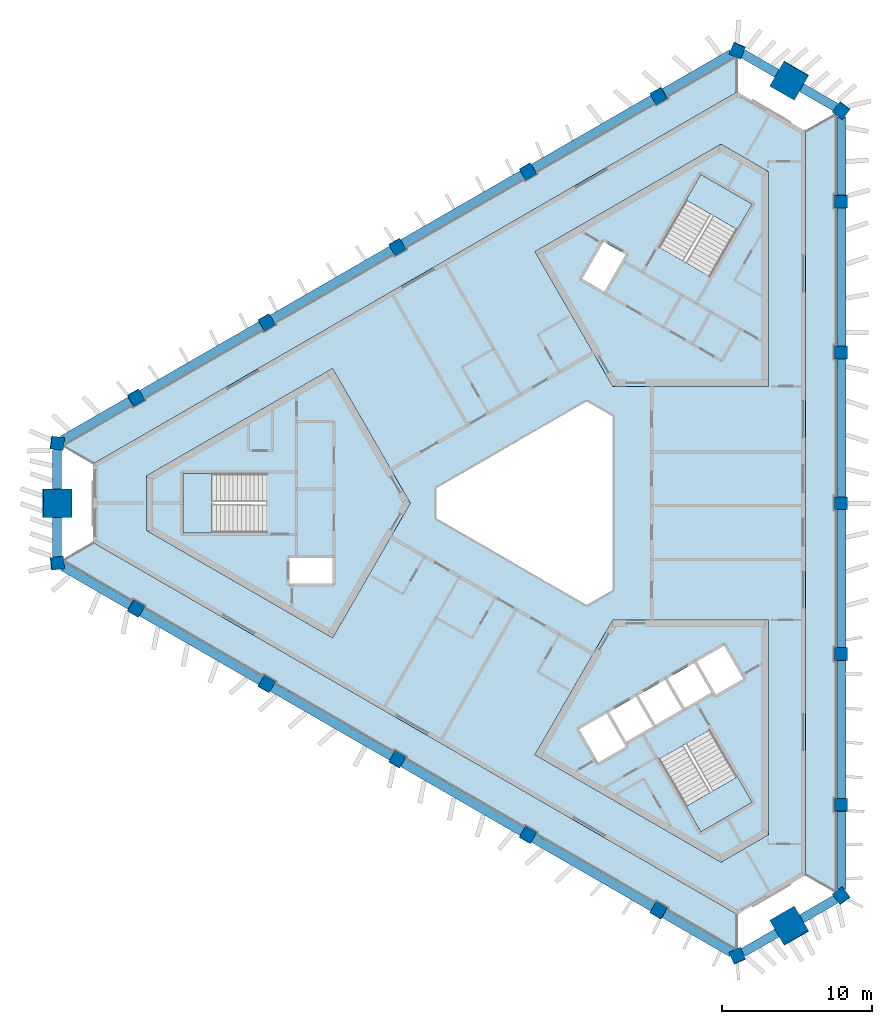
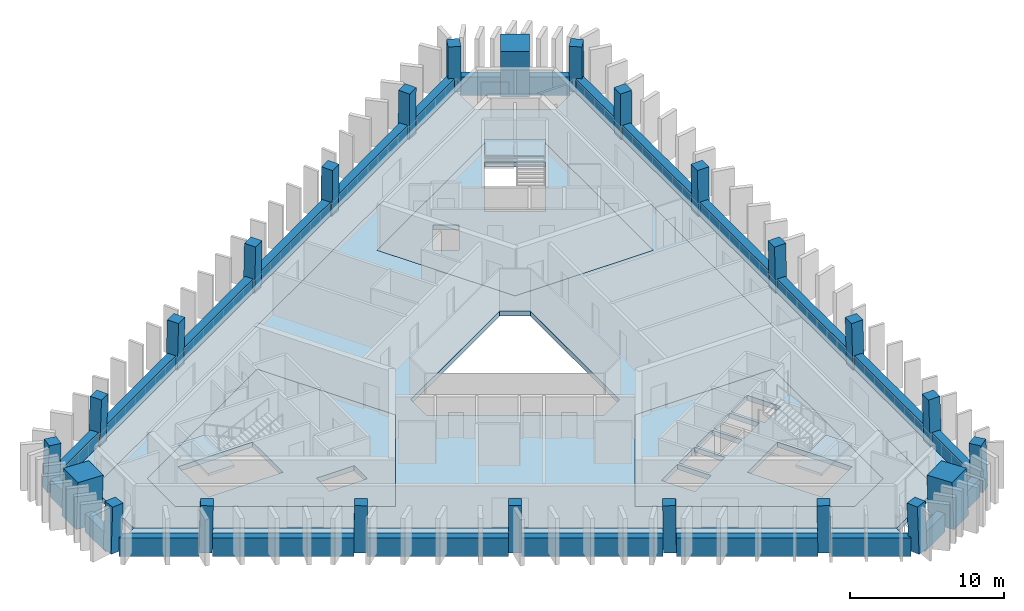
# One storey, part 1 of 9: 24 beams, 24 columns, 10 slabs, 3 elements without a shape of their own.
"""IFC4 building model written with IfcOpenShell, lengths in metres."""

from ifc_helpers import new_model, si_unit, direction, frame, origin, origin_2d, place, context, subcontext, project, spatial, polyline, rectangle, outline, extrude, material, layer, layer_set, material_profile, profile_set, type_object, element, aggregate, save


model = new_model("IFC4")

# Units and contexts
model_context = context("Model", 3, precision=1e-05, world=origin(), true_north=direction((0.0, 1.0)))
body_context = subcontext(model_context, "Body", "Model", "MODEL_VIEW")
ifc_project = project(units=[si_unit("LENGTHUNIT", "METRE"), si_unit("AREAUNIT", "SQUARE_METRE"), si_unit("VOLUMEUNIT", "CUBIC_METRE"), si_unit("PLANEANGLEUNIT", "RADIAN"), si_unit("MASSUNIT", "GRAM", prefix="KILO")], contexts=[model_context])

# Site, building, storey
site_placement = place(None, origin())
site = spatial("IfcSite", under=ifc_project, at=site_placement, CompositionType="ELEMENT")
building_placement = place(site_placement, origin())
building = spatial("IfcBuilding", under=site, at=building_placement, Name="Jabali Bay Hotel Tower and Convention Centre", CompositionType="ELEMENT")
storey_placement = place(building_placement, frame((0.0, 0.0, 242.800048828125)))
storey = spatial("IfcBuildingStorey", under=building, at=storey_placement, Name="L60", CompositionType="ELEMENT", Elevation=242.800048828125)

# Columns
ifc_material_1 = material(Name="Concrete C60", Category="concrete")
ifc_material_profile_1 = material_profile(ifc_material_1, rectangle(XDim=0.85009765625, YDim=0.85009765625, at=origin_2d()), Name="Frame column 850")
ifc_profile_set_1 = profile_set([ifc_material_profile_1], Name="Concrete C60")
column_type_1 = type_object("IfcColumnType", Name="Frame column 850", PredefinedType="COLUMN", material=ifc_profile_set_1)
column_1_placement = place(storey_placement, frame((82.56591796875, 107.177978515625, 0.0), z_axis=(-0.008376454378, -0.028163354484, 0.999568237028), x_axis=(0.865846453702, 0.49985452246, 0.021339517038)))
element("IfcColumn", 1, at=column_1_placement, inside=storey, type_object=column_type_1, Name="FC5 F1.1 L60", PredefinedType="COLUMN", context=body_context, shape_type="SweptSolid", body=[
    extrude(rectangle(XDim=0.85009765625, YDim=0.85009765625, at=origin_2d()), origin(), (0.0, 0.0, 1.0), 3.70166015625),
])
column_2_placement = place(storey_placement, frame((73.844482421875, 102.142578125, 0.0), z_axis=(0.000857578916, -0.022824792675, 0.999739112668), x_axis=(0.866054303765, 0.499836094294, 0.010668728649)))
element("IfcColumn", 2, at=column_2_placement, inside=storey, type_object=column_type_1, Name="FC5 F1.2 L60", PredefinedType="COLUMN", context=body_context, shape_type="SweptSolid", body=[
    extrude(rectangle(XDim=0.85009765625, YDim=0.85009765625, at=origin_2d()), origin(), (0.0, 0.0, 1.0), 3.700927734375),
])
column_3_placement = place(storey_placement, frame((65.123046875, 97.107177734375, 0.0), z_axis=(0.010093620709, -0.017482414954, 0.999796221231), x_axis=(0.866020200589, 0.50000901209, 8.5616e-08)))
element("IfcColumn", 3, at=column_3_placement, inside=storey, type_object=column_type_1, Name="FC5 F1.3 L60", PredefinedType="COLUMN", context=body_context, shape_type="SweptSolid", body=[
    extrude(rectangle(XDim=0.85009765625, YDim=0.85009765625, at=origin_2d()), origin(), (0.0, 0.0, 1.0), 3.70068359375),
])
column_4_placement = place(storey_placement, frame((56.401611328125, 92.072021484375, 0.0), z_axis=(0.019328516974, -0.012138044789, 0.999739504221), x_axis=(-0.500214302693, 0.865666432488, 0.020181155676)))
element("IfcColumn", 4, at=column_4_placement, inside=storey, type_object=column_type_1, Name="FC5 F1.4 L60", PredefinedType="COLUMN", context=body_context, shape_type="SweptSolid", body=[
    extrude(rectangle(XDim=0.85009765625, YDim=0.85009765625, at=origin_2d()), origin(), (0.0, 0.0, 1.0), 3.700927734375),
])
for number, where, z_axis, x_axis, name in (
    (5, (47.680419921875, 87.03662109375, 0.0), (0.028493212074, -0.006793520471, 0.999570900409), (-0.499957806748, 0.865815646522, 0.020135980476), "FC5 F1.5 L60"),
    (6, (47.680419921875, 72.96337890625, 0.0), (0.028493212074, 0.006793520471, 0.999570900409), (-0.865580919578, 0.50031701382, 0.021273395238), "FC5 F2.1 L60"),
):
    element("IfcColumn", number, at=place(storey_placement, frame(where, z_axis=z_axis, x_axis=x_axis)), inside=storey, type_object=column_type_1, Name=name, PredefinedType="COLUMN", context=body_context, shape_type="SweptSolid", body=[
        extrude(rectangle(XDim=0.85009765625, YDim=0.85009765625, at=origin_2d()), origin(), (0.0, 0.0, 1.0), 3.70166015625),
    ])
column_5_placement = place(storey_placement, frame((56.401611328125, 67.927978515625, 0.0), z_axis=(0.019328516974, 0.012138044789, 0.999739504221), x_axis=(-0.865685889808, 0.500474070789, 0.010660424724)))
element("IfcColumn", 7, at=column_5_placement, inside=storey, type_object=column_type_1, Name="FC5 F2.2 L60", PredefinedType="COLUMN", context=body_context, shape_type="SweptSolid", body=[
    extrude(rectangle(XDim=0.85009765625, YDim=0.85009765625, at=origin_2d()), origin(), (0.0, 0.0, 1.0), 3.700927734375),
])
column_6_placement = place(storey_placement, frame((65.123046875, 62.892822265625, 0.0), z_axis=(0.010093620709, 0.017482414954, 0.999796221231), x_axis=(-0.499907122366, -0.865843723195, 0.020187025824)))
element("IfcColumn", 8, at=column_6_placement, inside=storey, type_object=column_type_1, Name="FC5 F2.3 L60", PredefinedType="COLUMN", context=body_context, shape_type="SweptSolid", body=[
    extrude(rectangle(XDim=0.85009765625, YDim=0.85009765625, at=origin_2d()), origin(), (0.0, 0.0, 1.0), 3.70068359375),
])
column_7_placement = place(storey_placement, frame((73.844482421875, 57.857421875, 0.0), z_axis=(0.000857578916, 0.022824792675, 0.999739112668), x_axis=(-0.499949204908, -0.865819211891, 0.020196158824)))
element("IfcColumn", 9, at=column_7_placement, inside=storey, type_object=column_type_1, Name="FC5 F2.4 L60", PredefinedType="COLUMN", context=body_context, shape_type="SweptSolid", body=[
    extrude(rectangle(XDim=0.85009765625, YDim=0.85009765625, at=origin_2d()), origin(), (0.0, 0.0, 1.0), 3.700927734375),
])
for number, where, z_axis, x_axis, name in (
    (10, (82.56591796875, 52.822021484375, 0.0), (-0.008376454378, 0.028163354484, 0.999568237028), (-0.500239696169, -0.865651362756, 0.020198132002), "FC5 F2.5 L60"),
    (11, (94.75390625, 59.85888671875, 0.0), (-0.020182659751, 0.021303918626, 0.999569308901), (0.000228267203, -0.99977282903, 0.021312865295), "FC5 F0.1 L60"),
):
    element("IfcColumn", number, at=place(storey_placement, frame(where, z_axis=z_axis, x_axis=x_axis)), inside=storey, type_object=column_type_1, Name=name, PredefinedType="COLUMN", context=body_context, shape_type="SweptSolid", body=[
        extrude(rectangle(XDim=0.85009765625, YDim=0.85009765625, at=origin_2d()), origin(), (0.0, 0.0, 1.0), 3.70166015625),
    ])
column_8_placement = place(storey_placement, frame((94.75390625, 69.929443359375, 0.0), z_axis=(-0.020186102726, 0.010620792611, 0.999739826165), x_axis=(0.001532768534, -0.999942070948, 0.010653889845)))
element("IfcColumn", 12, at=column_8_placement, inside=storey, type_object=column_type_1, Name="FC5 F0.2 L60", PredefinedType="COLUMN", context=body_context, shape_type="SweptSolid", body=[
    extrude(rectangle(XDim=0.85009765625, YDim=0.85009765625, at=origin_2d()), origin(), (0.0, 0.0, 1.0), 3.700927734375),
])
column_9_placement = place(storey_placement, frame((94.75390625, 80.0, 0.0), z_axis=(-0.020187241331, 0.0, 0.99979621688), x_axis=(0.0, -1.0, 0.0)))
element("IfcColumn", 13, at=column_9_placement, inside=storey, type_object=column_type_1, Name="FC5 F0.3 L60", PredefinedType="COLUMN", context=body_context, shape_type="SweptSolid", body=[
    extrude(rectangle(XDim=0.85009765625, YDim=0.85009765625, at=origin_2d()), origin(), (0.0, 0.0, 1.0), 3.70068359375),
])
column_10_placement = place(storey_placement, frame((94.75390625, 90.070556640625, 0.0), z_axis=(-0.020186102726, -0.010620792611, 0.999739826165), x_axis=(0.999795064939, -0.001747430263, 0.020168654147)))
element("IfcColumn", 14, at=column_10_placement, inside=storey, type_object=column_type_1, Name="FC5 F0.4 L60", PredefinedType="COLUMN", context=body_context, shape_type="SweptSolid", body=[
    extrude(rectangle(XDim=0.85009765625, YDim=0.85009765625, at=origin_2d()), origin(), (0.0, 0.0, 1.0), 3.700927734375),
])
column_11_placement = place(storey_placement, frame((94.75390625, 100.14111328125, 0.0), z_axis=(-0.020182659751, -0.021303918626, 0.999569308901), x_axis=(0.999796283319, -0.000658319199, 0.020173211851)))
element("IfcColumn", 15, at=column_11_placement, inside=storey, type_object=column_type_1, Name="FC5 F0.5 L60", PredefinedType="COLUMN", context=body_context, shape_type="SweptSolid", body=[
    extrude(rectangle(XDim=0.85009765625, YDim=0.85009765625, at=origin_2d()), origin(), (0.0, 0.0, 1.0), 3.70166015625),
])
for number, where, z_axis, x_axis, name in (
    (16, (94.75390625, 53.791015625, 0.0), (-0.02017878048, 0.028949296179, 0.999377183584), (-0.798045720609, -0.602595409012, 0.001341959357), "FC5 V0 L60"),
    (17, (94.75390625, 106.208984375, 0.0), (-0.02017878048, -0.028949296179, 0.999377183584), (0.602258951478, 0.797521605531, 0.035262502407), "FC5 V1 L60"),
    (18, (87.82080078125, 110.2119140625, 0.0), (-0.015035141917, -0.031982648376, 0.99937533225), (0.920504589704, -0.390729437685, 0.001344194601), "FC5 V2 L60"),
    (19, (42.42529296875, 84.002685546875, 0.0), (0.03521388716, -0.002967462401, 0.999375393092), (-0.991932731397, 0.121747435988, 0.035313145047), "FC5 V3 L60"),
    (20, (42.42529296875, 75.997314453125, 0.0), (0.03521388716, 0.002967462401, 0.999375393092), (-0.121776182128, 0.992556676466, 0.001343677388), "FC5 V4 L60"),
    (21, (87.82080078125, 49.7880859375, 0.0), (-0.015035141917, 0.031982648376, 0.99937533225), (0.390442370704, -0.91994979033, 0.035314847168), "FC5 V5 L60"),
):
    element("IfcColumn", number, at=place(storey_placement, frame(where, z_axis=z_axis, x_axis=x_axis)), inside=storey, type_object=column_type_1, Name=name, PredefinedType="COLUMN", context=body_context, shape_type="SweptSolid", body=[
        extrude(rectangle(XDim=0.85009765625, YDim=0.85009765625, at=origin_2d()), origin(), (0.0, 0.0, 1.0), 3.7021484375),
    ])
ifc_material_2 = material(Name="Concrete C70", Category="concrete")
ifc_material_profile_2 = material_profile(ifc_material_2, rectangle(XDim=1.89990234375, YDim=1.89990234375, at=origin_2d()), Name="Mega column 1900")
ifc_profile_set_2 = profile_set([ifc_material_profile_2], Name="Concrete C70")
column_type_2 = type_object("IfcColumnType", Name="Mega column 1900", PredefinedType="COLUMN", material=ifc_profile_set_2)
for number, where, z_axis, x_axis, name in (
    (22, (91.287353515625, 108.21044921875, 0.0), (-0.017607037296, -0.030466109479, 0.999380712447), (0.86581098392, -0.500371202332, 2.457e-09), "MC5 M1 L60"),
    (23, (42.42529296875, 80.0, 0.0), (0.035214042205, 0.0, 0.999379793288), (0.0, 1.0, 0.0), "MC5 M0 L60"),
    (24, (91.287353515625, 51.78955078125, 0.0), (-0.017607037296, 0.030466109479, 0.999380712447), (0.500061328599, -0.865274797998, 0.035187946645), "MC5 M2 L60"),
):
    element("IfcColumn", number, at=place(storey_placement, frame(where, z_axis=z_axis, x_axis=x_axis)), inside=storey, type_object=column_type_2, Name=name, PredefinedType="COLUMN", context=body_context, shape_type="SweptSolid", body=[
        extrude(rectangle(XDim=1.89990234375, YDim=1.89990234375, at=origin_2d()), origin(), (0.0, 0.0, 1.0), 3.7021484375),
    ])

# Beams
ifc_material_profile_3 = material_profile(ifc_material_1, rectangle(XDim=0.60009765625, YDim=1.449951171875, at=origin_2d()), Name="Spandrel 600x1450")
ifc_profile_set_3 = profile_set([ifc_material_profile_3], Name="Concrete C60")
beam_type = type_object("IfcBeamType", Name="Spandrel 600x1450", PredefinedType="SPANDREL", material=ifc_profile_set_3)
beam_1_placement = place(storey_placement, frame((90.4580078125, 108.674072265625, 0.375), z_axis=(-0.866032345022, 0.499987977232, 0.0), x_axis=(-0.499987977232, -0.866032345022, 0.0)))
element("IfcBeam", 25, at=beam_1_placement, inside=storey, type_object=beam_type, Name="Spandrel M1-V2 L60", PredefinedType="SPANDREL", context=body_context, shape_type="SweptSolid", body=[
    extrude(rectangle(XDim=0.60009765625, YDim=1.449951171875, at=origin_2d()), origin(), (0.0, 0.0, 1.0), 2.62646484375),
])
beam_2_placement = place(storey_placement, frame((87.447021484375, 109.9873046875, 0.375), z_axis=(-0.866021861762, -0.500006134913, 0.0), x_axis=(0.500006134913, -0.866021861762, 0.0)))
element("IfcBeam", 26, at=beam_2_placement, inside=storey, type_object=beam_type, Name="Spandrel V2-F1.1 L60", PredefinedType="SPANDREL", context=body_context, shape_type="SweptSolid", body=[
    extrude(rectangle(XDim=0.60009765625, YDim=1.449951171875, at=origin_2d()), origin(), (0.0, 0.0, 1.0), 5.21484375),
])
for number, where, z_axis, x_axis, name in (
    (27, (82.19482421875, 106.954833984375, 0.375), (-0.866024138653, -0.500002191265, 0.0), (0.500002191265, -0.866024138653, 0.0), "Spandrel F1.1-F1.2 L60"),
    (28, (73.476806640625, 101.921630859375, 0.375), (-0.866024138653, -0.500002191265, 0.0), (0.500002191265, -0.866024138653, 0.0), "Spandrel F1.2-F1.3 L60"),
):
    element("IfcBeam", number, at=place(storey_placement, frame(where, z_axis=z_axis, x_axis=x_axis)), inside=storey, type_object=beam_type, Name=name, PredefinedType="SPANDREL", context=body_context, shape_type="SweptSolid", body=[
        extrude(rectangle(XDim=0.60009765625, YDim=1.449951171875, at=origin_2d()), origin(), (0.0, 0.0, 1.0), 9.216796875),
    ])
beam_3_placement = place(storey_placement, frame((64.7587890625, 96.88818359375, 0.375), z_axis=(-0.866028986546, -0.499993794423, 0.0), x_axis=(0.499993794423, -0.866028986546, 0.0)))
element("IfcBeam", 29, at=beam_3_placement, inside=storey, type_object=beam_type, Name="Spandrel F1.3-F1.4 L60", PredefinedType="SPANDREL", context=body_context, shape_type="SweptSolid", body=[
    extrude(rectangle(XDim=0.60009765625, YDim=1.449951171875, at=origin_2d()), origin(), (0.0, 0.0, 1.0), 9.21630859375),
])
beam_4_placement = place(storey_placement, frame((56.040771484375, 91.85498046875, 0.375), z_axis=(-0.866017516173, -0.500013661496, 0.0), x_axis=(0.500013661496, -0.866017516173, 0.0)))
element("IfcBeam", 30, at=beam_4_placement, inside=storey, type_object=beam_type, Name="Spandrel F1.4-F1.5 L60", PredefinedType="SPANDREL", context=body_context, shape_type="SweptSolid", body=[
    extrude(rectangle(XDim=0.60009765625, YDim=1.449951171875, at=origin_2d()), origin(), (0.0, 0.0, 1.0), 9.216552734375),
])
beam_5_placement = place(storey_placement, frame((47.322998046875, 86.821533203125, 0.375), z_axis=(-0.866033565601, -0.499985863053, 0.0), x_axis=(0.499985863053, -0.866033565601, 0.0)))
element("IfcBeam", 31, at=beam_5_placement, inside=storey, type_object=beam_type, Name="Spandrel F1.5-V3 L60", PredefinedType="SPANDREL", context=body_context, shape_type="SweptSolid", body=[
    extrude(rectangle(XDim=0.60009765625, YDim=1.449951171875, at=origin_2d()), origin(), (0.0, 0.0, 1.0), 5.215087890625),
])
for number, where, z_axis, x_axis, name in (
    (32, (42.4384765625, 83.57666015625, 0.375), (0.0, -1.0, 0.0), (1.0, 0.0, 0.0), "Spandrel V3-M0 L60"),
    (33, (42.4384765625, 79.050048828125, 0.375), (0.0, -1.0, 0.0), (1.0, 0.0, 0.0), "Spandrel M0-V4 L60"),
):
    element("IfcBeam", number, at=place(storey_placement, frame(where, z_axis=z_axis, x_axis=x_axis)), inside=storey, type_object=beam_type, Name=name, PredefinedType="SPANDREL", context=body_context, shape_type="SweptSolid", body=[
        extrude(rectangle(XDim=0.60009765625, YDim=1.449951171875, at=origin_2d()), origin(), (0.0, 0.0, 1.0), 2.626708984375),
    ])
beam_6_placement = place(storey_placement, frame((42.806640625, 75.785888671875, 0.375), z_axis=(0.866033565601, -0.499985863053, 0.0), x_axis=(0.499985863053, 0.866033565601, 0.0)))
element("IfcBeam", 34, at=beam_6_placement, inside=storey, type_object=beam_type, Name="Spandrel V4-F2.1 L60", PredefinedType="SPANDREL", context=body_context, shape_type="SweptSolid", body=[
    extrude(rectangle(XDim=0.60009765625, YDim=1.449951171875, at=origin_2d()), origin(), (0.0, 0.0, 1.0), 5.215087890625),
])
beam_7_placement = place(storey_placement, frame((48.05908203125, 72.75341796875, 0.375), z_axis=(0.866017516173, -0.500013661496, 0.0), x_axis=(0.500013661496, 0.866017516173, 0.0)))
element("IfcBeam", 35, at=beam_7_placement, inside=storey, type_object=beam_type, Name="Spandrel F2.1-F2.2 L60", PredefinedType="SPANDREL", context=body_context, shape_type="SweptSolid", body=[
    extrude(rectangle(XDim=0.60009765625, YDim=1.449951171875, at=origin_2d()), origin(), (0.0, 0.0, 1.0), 9.216552734375),
])
beam_8_placement = place(storey_placement, frame((56.777099609375, 67.719970703125, 0.375), z_axis=(0.866028986546, -0.499993794423, 0.0), x_axis=(0.499993794423, 0.866028986546, 0.0)))
element("IfcBeam", 36, at=beam_8_placement, inside=storey, type_object=beam_type, Name="Spandrel F2.2-F2.3 L60", PredefinedType="SPANDREL", context=body_context, shape_type="SweptSolid", body=[
    extrude(rectangle(XDim=0.60009765625, YDim=1.449951171875, at=origin_2d()), origin(), (0.0, 0.0, 1.0), 9.21630859375),
])
for number, where, z_axis, x_axis, name in (
    (37, (65.494873046875, 62.686767578125, 0.375), (0.866024138653, -0.500002191265, 0.0), (0.500002191265, 0.866024138653, 0.0), "Spandrel F2.3-F2.4 L60"),
    (38, (74.212890625, 57.653564453125, 0.375), (0.866024138653, -0.500002191265, 0.0), (0.500002191265, 0.866024138653, 0.0), "Spandrel F2.4-F2.5 L60"),
):
    element("IfcBeam", number, at=place(storey_placement, frame(where, z_axis=z_axis, x_axis=x_axis)), inside=storey, type_object=beam_type, Name=name, PredefinedType="SPANDREL", context=body_context, shape_type="SweptSolid", body=[
        extrude(rectangle(XDim=0.60009765625, YDim=1.449951171875, at=origin_2d()), origin(), (0.0, 0.0, 1.0), 9.216796875),
    ])
beam_9_placement = place(storey_placement, frame((82.930908203125, 52.6201171875, 0.375), z_axis=(0.866021861762, -0.500006134913, 0.0), x_axis=(0.500006134913, 0.866021861762, 0.0)))
element("IfcBeam", 39, at=beam_9_placement, inside=storey, type_object=beam_type, Name="Spandrel F2.5-V5 L60", PredefinedType="SPANDREL", context=body_context, shape_type="SweptSolid", body=[
    extrude(rectangle(XDim=0.60009765625, YDim=1.449951171875, at=origin_2d()), origin(), (0.0, 0.0, 1.0), 5.21484375),
])
beam_10_placement = place(storey_placement, frame((88.183349609375, 50.0126953125, 0.375), z_axis=(0.866032345022, 0.499987977232, 0.0), x_axis=(-0.499987977232, 0.866032345022, 0.0)))
element("IfcBeam", 40, at=beam_10_placement, inside=storey, type_object=beam_type, Name="Spandrel V5-M2 L60", PredefinedType="SPANDREL", context=body_context, shape_type="SweptSolid", body=[
    extrude(rectangle(XDim=0.60009765625, YDim=1.449951171875, at=origin_2d()), origin(), (0.0, 0.0, 1.0), 2.62646484375),
])
beam_11_placement = place(storey_placement, frame((92.103515625, 52.27587890625, 0.375), z_axis=(0.865992095402, 0.500057687374, 0.0), x_axis=(-0.500057687374, 0.865992095402, 0.0)))
element("IfcBeam", 41, at=beam_11_placement, inside=storey, type_object=beam_type, Name="Spandrel M2-V0 L60", PredefinedType="SPANDREL", context=body_context, shape_type="SweptSolid", body=[
    extrude(rectangle(XDim=0.60009765625, YDim=1.449951171875, at=origin_2d()), origin(), (0.0, 0.0, 1.0), 2.626708984375),
])
beam_12_placement = place(storey_placement, frame((94.746337890625, 54.226806640625, 0.375), z_axis=(0.0, 1.0, 0.0), x_axis=(-1.0, 0.0, 0.0)))
element("IfcBeam", 42, at=beam_12_placement, inside=storey, type_object=beam_type, Name="Spandrel V0-F0.1 L60", PredefinedType="SPANDREL", context=body_context, shape_type="SweptSolid", body=[
    extrude(rectangle(XDim=0.60009765625, YDim=1.449951171875, at=origin_2d()), origin(), (0.0, 0.0, 1.0), 5.215087890625),
])
for number, where, z_axis, x_axis, name in (
    (43, (94.746337890625, 60.291748046875, 0.375), (0.0, 1.0, 0.0), (-1.0, 0.0, 0.0), "Spandrel F0.1-F0.2 L60"),
    (44, (94.746337890625, 70.3583984375, 0.375), (0.0, 1.0, 0.0), (-1.0, 0.0, 0.0), "Spandrel F0.2-F0.3 L60"),
    (45, (94.746337890625, 80.425048828125, 0.375), (0.0, 1.0, 0.0), (-1.0, 0.0, 0.0), "Spandrel F0.3-F0.4 L60"),
    (46, (94.746337890625, 90.49169921875, 0.375), (0.0, 1.0, 0.0), (-1.0, 0.0, 0.0), "Spandrel F0.4-F0.5 L60"),
):
    element("IfcBeam", number, at=place(storey_placement, frame(where, z_axis=z_axis, x_axis=x_axis)), inside=storey, type_object=beam_type, Name=name, PredefinedType="SPANDREL", context=body_context, shape_type="SweptSolid", body=[
        extrude(rectangle(XDim=0.60009765625, YDim=1.449951171875, at=origin_2d()), origin(), (0.0, 0.0, 1.0), 9.216552734375),
    ])
beam_13_placement = place(storey_placement, frame((94.746337890625, 100.55810546875, 0.375), z_axis=(0.0, 1.0, 0.0), x_axis=(-1.0, 0.0, 0.0)))
element("IfcBeam", 47, at=beam_13_placement, inside=storey, type_object=beam_type, Name="Spandrel F0.5-V1 L60", PredefinedType="SPANDREL", context=body_context, shape_type="SweptSolid", body=[
    extrude(rectangle(XDim=0.60009765625, YDim=1.449951171875, at=origin_2d()), origin(), (0.0, 0.0, 1.0), 5.215087890625),
])
beam_14_placement = place(storey_placement, frame((94.378173828125, 106.41064453125, 0.375), z_axis=(-0.865992095402, 0.500057687374, 0.0), x_axis=(-0.500057687374, -0.865992095402, 0.0)))
element("IfcBeam", 48, at=beam_14_placement, inside=storey, type_object=beam_type, Name="Spandrel V1-M1 L60", PredefinedType="SPANDREL", context=body_context, shape_type="SweptSolid", body=[
    extrude(rectangle(XDim=0.60009765625, YDim=1.449951171875, at=origin_2d()), origin(), (0.0, 0.0, 1.0), 2.626708984375),
])

# Slabs
ifc_material_3 = material(Name="Concrete C40", Category="concrete")
ifc_layer_1 = layer(ifc_material_3, 0.39990234375)
ifc_layer_set_1 = layer_set([ifc_layer_1], Name="Concrete C40")
slab_type_1 = type_object("IfcSlabType", Name="Core floor slab 400", PredefinedType="FLOOR", material=ifc_layer_set_1)
slab_1_placement = place(storey_placement, frame((0.0, 0.0, -0.400146484375)))
element("IfcSlab", 49, at=slab_1_placement, inside=storey, type_object=slab_type_1, Name="Core floor slab 1 L60", PredefinedType="FLOOR", context=body_context, shape_type="SweptSolid", body=[
    extrude(outline(polyline([(66.0, 80.0), (60.81005859375, 88.9892578125), (48.39697265625, 81.82275390625), (48.39697265625, 78.17724609375), (60.81005859375, 71.0107421875), (66.0, 80.0)]), holes=[polyline([(60.800048828125, 76.35009765625), (57.949951171875, 76.35009765625), (57.949951171875, 74.64990234375), (60.800048828125, 74.64990234375), (60.800048828125, 76.35009765625)]), polyline([(50.820068359375, 81.97509765625), (50.820068359375, 78.02490234375), (56.409912109375, 78.02490234375), (56.409912109375, 81.97509765625), (50.820068359375, 81.97509765625)])]), origin(), (0.0, 0.0, 1.0), 0.400146484375),
])
slab_2_placement = place(storey_placement, frame((0.0, 0.0, -0.400146484375)))
element("IfcSlab", 50, at=slab_2_placement, inside=storey, type_object=slab_type_1, Name="Core floor slab 2 L60", PredefinedType="FLOOR", context=body_context, shape_type="SweptSolid", body=[
    extrude(outline(polyline([(79.5, 87.794189453125), (89.8798828125, 87.794189453125), (89.8798828125, 102.127685546875), (86.72314453125, 103.9501953125), (74.31005859375, 96.78369140625), (79.5, 87.794189453125)]), holes=[polyline([(78.93896484375, 94.12255859375), (80.364013671875, 96.5908203125), (78.891845703125, 97.440673828125), (77.466796875, 94.97265625), (78.93896484375, 94.12255859375)]), polyline([(88.80029296875, 99.952880859375), (85.379638671875, 101.927978515625), (82.584716796875, 97.0869140625), (86.00537109375, 95.11181640625), (88.80029296875, 99.952880859375)])]), origin(), (0.0, 0.0, 1.0), 0.400146484375),
])
slab_3_placement = place(storey_placement, frame((0.0, 0.0, -0.400146484375)))
element("IfcSlab", 51, at=slab_3_placement, inside=storey, type_object=slab_type_1, Name="Core floor slab 3 L60", PredefinedType="FLOOR", context=body_context, shape_type="SweptSolid", body=[
    extrude(outline(polyline([(79.5, 72.205810546875), (74.31005859375, 63.21630859375), (86.72314453125, 56.0498046875), (89.8798828125, 57.872314453125), (89.8798828125, 72.205810546875), (79.5, 72.205810546875)]), holes=[polyline([(82.584716796875, 62.9130859375), (85.379638671875, 58.072021484375), (88.80029296875, 60.047119140625), (86.00537109375, 64.88818359375), (82.584716796875, 62.9130859375)]), polyline([(80.365478515625, 63.756591796875), (79.090576171875, 65.96484375), (77.27197265625, 64.9150390625), (78.546875, 62.70654296875), (80.365478515625, 63.756591796875)]), polyline([(82.17919921875, 65.115478515625), (81.0390625, 67.08984375), (79.263671875, 66.06494140625), (80.40380859375, 64.09033203125), (82.17919921875, 65.115478515625)]), polyline([(82.98779296875, 68.21484375), (81.21240234375, 67.18994140625), (82.352294921875, 65.21533203125), (84.127685546875, 66.240478515625), (82.98779296875, 68.21484375)]), polyline([(86.076171875, 67.365478515625), (84.936279296875, 69.33984375), (83.160888671875, 68.31494140625), (84.30078125, 66.34033203125), (86.076171875, 67.365478515625)]), polyline([(88.203125, 68.281494140625), (86.927978515625, 70.489990234375), (85.109375, 69.43994140625), (86.384521484375, 67.231689453125), (88.203125, 68.281494140625)])]), origin(), (0.0, 0.0, 1.0), 0.400146484375),
])
ifc_layer_2 = layer(ifc_material_3, 0.199951171875)
ifc_layer_set_2 = layer_set([ifc_layer_2], Name="Concrete C40")
slab_type_2 = type_object("IfcSlabType", Name="Loggia slab 200", PredefinedType="FLOOR", material=ifc_layer_set_2)
slab_4_placement = place(storey_placement, frame((0.0, 0.0, -0.199951171875)))
element("IfcSlab", 52, at=slab_4_placement, inside=storey, type_object=slab_type_2, Name="Loggia slab east face L60", PredefinedType="FLOOR", context=body_context, shape_type="SweptSolid", body=[
    extrude(outline(polyline([(92.353759765625, 104.823486328125), (94.35400390625, 105.978271484375), (94.453857421875, 105.903076171875), (94.453857421875, 100.566162109375), (94.328857421875, 100.566162109375), (94.328857421875, 99.71630859375), (94.453857421875, 99.71630859375), (94.453857421875, 90.49560546875), (94.328857421875, 90.49560546875), (94.328857421875, 89.6455078125), (94.453857421875, 89.6455078125), (94.453857421875, 80.425048828125), (94.328857421875, 80.425048828125), (94.328857421875, 79.574951171875), (94.453857421875, 79.574951171875), (94.453857421875, 70.3544921875), (94.328857421875, 70.3544921875), (94.328857421875, 69.50439453125), (94.453857421875, 69.50439453125), (94.453857421875, 60.28369140625), (94.328857421875, 60.28369140625), (94.328857421875, 59.433837890625), (94.453857421875, 59.433837890625), (94.453857421875, 54.096923828125), (94.35400390625, 54.021728515625), (92.353759765625, 55.176513671875), (92.353759765625, 104.823486328125)])), origin(), (0.0, 0.0, 1.0), 0.199951171875),
])
slab_5_placement = place(storey_placement, frame((0.0, 0.0, -0.199951171875)))
element("IfcSlab", 53, at=slab_5_placement, inside=storey, type_object=slab_type_2, Name="Loggia slab north-west face L60", PredefinedType="FLOOR", context=body_context, shape_type="SweptSolid", body=[
    extrude(outline(polyline([(44.825439453125, 82.6171875), (42.8251953125, 83.77197265625), (42.840576171875, 83.89599609375), (47.462158203125, 86.564453125), (47.524658203125, 86.4560546875), (48.2607421875, 86.881103515625), (48.1982421875, 86.9892578125), (56.18359375, 91.599609375), (56.24609375, 91.491455078125), (56.982177734375, 91.91650390625), (56.919677734375, 92.024658203125), (64.905029296875, 96.635009765625), (64.967529296875, 96.526611328125), (65.70361328125, 96.95166015625), (65.64111328125, 97.06005859375), (73.62646484375, 101.670166015625), (73.68896484375, 101.56201171875), (74.425048828125, 101.987060546875), (74.362548828125, 102.09521484375), (82.347900390625, 106.70556640625), (82.410400390625, 106.597412109375), (83.146484375, 107.022216796875), (83.083984375, 107.130615234375), (87.705810546875, 109.799072265625), (87.82080078125, 109.750244140625), (87.82080078125, 107.4404296875), (44.825439453125, 82.6171875)])), origin(), (0.0, 0.0, 1.0), 0.199951171875),
])
slab_6_placement = place(storey_placement, frame((0.0, 0.0, -0.199951171875)))
element("IfcSlab", 54, at=slab_6_placement, inside=storey, type_object=slab_type_2, Name="Loggia slab south-west face L60", PredefinedType="FLOOR", context=body_context, shape_type="SweptSolid", body=[
    extrude(outline(polyline([(87.82080078125, 52.5595703125), (87.82080078125, 50.249755859375), (87.705810546875, 50.200927734375), (83.083984375, 52.869384765625), (83.146484375, 52.977783203125), (82.410400390625, 53.402587890625), (82.347900390625, 53.29443359375), (74.362548828125, 57.90478515625), (74.425048828125, 58.012939453125), (73.68896484375, 58.43798828125), (73.62646484375, 58.329833984375), (65.64111328125, 62.93994140625), (65.70361328125, 63.04833984375), (64.967529296875, 63.473388671875), (64.905029296875, 63.364990234375), (56.919677734375, 67.975341796875), (56.982177734375, 68.08349609375), (56.24609375, 68.508544921875), (56.18359375, 68.400390625), (48.1982421875, 73.0107421875), (48.2607421875, 73.118896484375), (47.524658203125, 73.5439453125), (47.462158203125, 73.435546875), (42.840576171875, 76.10400390625), (42.8251953125, 76.22802734375), (44.825439453125, 77.3828125), (87.82080078125, 52.5595703125)])), origin(), (0.0, 0.0, 1.0), 0.199951171875),
])
ifc_layer_3 = layer(ifc_material_3, 0.39990234375)
ifc_layer_set_3 = layer_set([ifc_layer_3], Name="Concrete C40")
slab_type_3 = type_object("IfcSlabType", Name="Post-tensioned flat slab 400", PredefinedType="FLOOR", material=ifc_layer_set_3)
slab_7_placement = place(storey_placement, frame((0.0, 0.0, -0.400146484375)))
element("IfcSlab", 55, at=slab_7_placement, inside=storey, type_object=slab_type_3, Name="Floor slab L60", PredefinedType="FLOOR", context=body_context, shape_type="SweptSolid", body=[
    extrude(outline(polyline([(87.82080078125, 107.4404296875), (92.353759765625, 104.823486328125), (92.353759765625, 55.176513671875), (87.82080078125, 52.5595703125), (44.825439453125, 77.3828125), (44.825439453125, 82.6171875), (87.82080078125, 107.4404296875)]), holes=[polyline([(67.73193359375, 79.0), (77.76806640625, 73.205810546875), (79.5, 74.205810546875), (79.5, 85.794189453125), (77.76806640625, 86.794189453125), (67.73193359375, 81.0), (67.73193359375, 79.0)]), polyline([(48.39697265625, 78.17724609375), (60.81005859375, 71.0107421875), (66.0, 80.0), (60.81005859375, 88.9892578125), (48.39697265625, 81.82275390625), (48.39697265625, 78.17724609375)]), polyline([(89.8798828125, 102.127685546875), (86.72314453125, 103.9501953125), (74.31005859375, 96.78369140625), (79.5, 87.794189453125), (89.8798828125, 87.794189453125), (89.8798828125, 102.127685546875)]), polyline([(74.31005859375, 63.21630859375), (86.72314453125, 56.0498046875), (89.8798828125, 57.872314453125), (89.8798828125, 72.205810546875), (79.5, 72.205810546875), (74.31005859375, 63.21630859375)])]), origin(), (0.0, 0.0, 1.0), 0.400146484375),
])

# Stair, slab
stair_type = type_object("IfcStairType", Name="Exit stair 1900", PredefinedType="HALF_TURN_STAIR", material=ifc_material_3)
stair_1_placement = place(storey_placement, origin())
stair_1 = element("IfcStair", 56, at=stair_1_placement, inside=storey, type_object=stair_type, Name="L60 Exit Stair 1", PredefinedType="HALF_TURN_STAIR")
ifc_layer_4 = layer(ifc_material_3, 0.199951171875)
ifc_layer_set_4 = layer_set([ifc_layer_4], Name="Concrete C40")
slab_type_4 = type_object("IfcSlabType", Name="Stair landing 200", PredefinedType="LANDING", material=ifc_layer_set_4)
slab_8_placement = place(storey_placement, frame((0.0, 0.0, 1.64990234375)))
slab_8 = element("IfcSlab", 57, at=slab_8_placement, type_object=slab_type_4, Name="ST1 landing 1", PredefinedType="LANDING", context=body_context, shape_type="SweptSolid", body=[
    extrude(outline(polyline([(52.782958984375, 81.97509765625), (50.820068359375, 81.97509765625), (50.820068359375, 78.02490234375), (52.782958984375, 78.02490234375), (52.782958984375, 81.97509765625)])), origin(), (0.0, 0.0, 1.0), 0.199951171875),
])
aggregate(stair_1, [slab_8])

stair_2_placement = place(storey_placement, origin())
stair_2 = element("IfcStair", 58, at=stair_2_placement, inside=storey, type_object=stair_type, Name="L60 Exit Stair 2", PredefinedType="HALF_TURN_STAIR")
slab_9_placement = place(storey_placement, frame((0.0, 0.0, 1.64990234375)))
slab_9 = element("IfcSlab", 59, at=slab_9_placement, type_object=slab_type_4, Name="ST2 landing 1", PredefinedType="LANDING", context=body_context, shape_type="SweptSolid", body=[
    extrude(outline(polyline([(87.81884765625, 98.2529296875), (88.80029296875, 99.952880859375), (85.379638671875, 101.927978515625), (84.398193359375, 100.22802734375), (87.81884765625, 98.2529296875)])), origin(), (0.0, 0.0, 1.0), 0.199951171875),
])
aggregate(stair_2, [slab_9])

stair_3_placement = place(storey_placement, origin())
stair_3 = element("IfcStair", 60, at=stair_3_placement, inside=storey, type_object=stair_type, Name="L60 Exit Stair 3", PredefinedType="HALF_TURN_STAIR")
slab_10_placement = place(storey_placement, frame((0.0, 0.0, 1.64990234375)))
slab_10 = element("IfcSlab", 61, at=slab_10_placement, type_object=slab_type_4, Name="ST3 landing 1", PredefinedType="LANDING", context=body_context, shape_type="SweptSolid", body=[
    extrude(outline(polyline([(84.398193359375, 59.77197265625), (85.379638671875, 58.072021484375), (88.80029296875, 60.047119140625), (87.81884765625, 61.7470703125), (84.398193359375, 59.77197265625)])), origin(), (0.0, 0.0, 1.0), 0.199951171875),
])
aggregate(stair_3, [slab_10])

save(model, "model.ifc")
